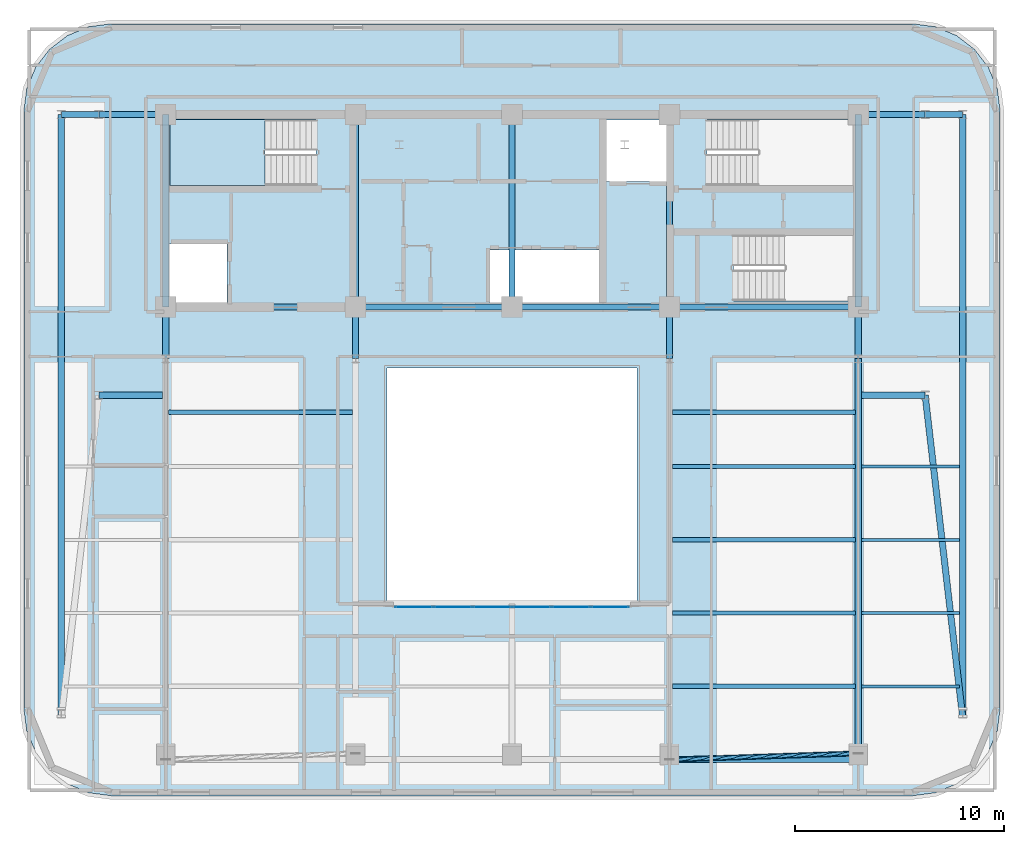
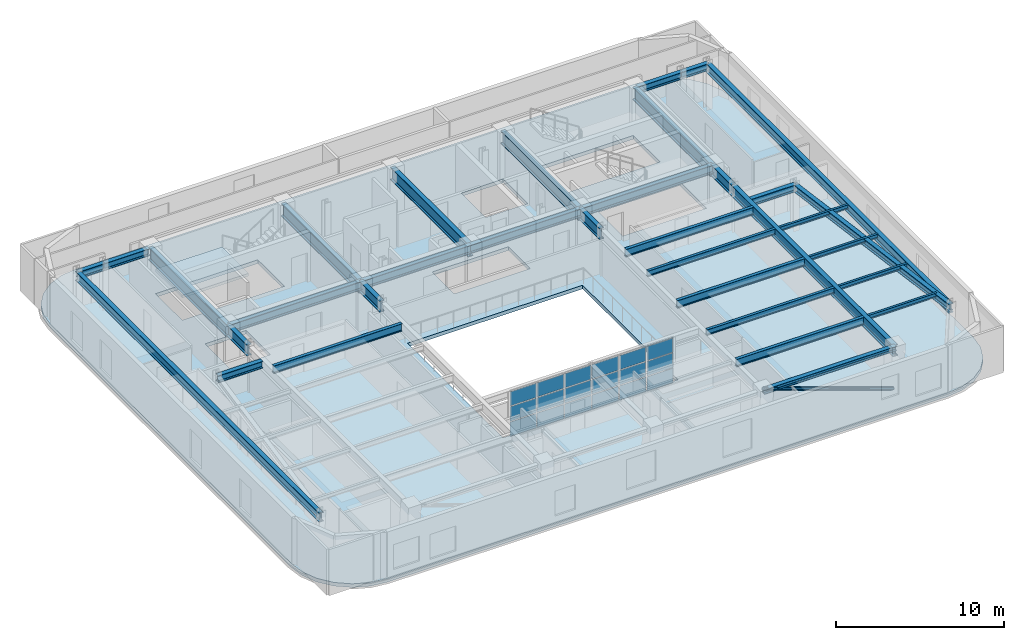
# One storey, part 3 of 14: 34 beams, 18 plates, 2 slabs, 1 member, 2 elements without a shape of their own.
"""IFC4 building model written with IfcOpenShell, lengths in metres."""

from ifc_helpers import new_model, si_unit, direction, frame, origin, origin_2d, place, context, subcontext, project, spatial, polyline, rectangle, hollow_circle, i_section, outline, extrude, material, layer, layer_set, material_profile, profile_set, type_object, element, aggregate, save


model = new_model("IFC4")

# Units and contexts
model_context = context("Model", 3, precision=1e-05, world=origin(), true_north=direction((0.0, 1.0)))
body_context = subcontext(model_context, "Body", "Model", "MODEL_VIEW")
ifc_project = project(units=[si_unit("LENGTHUNIT", "METRE"), si_unit("AREAUNIT", "SQUARE_METRE"), si_unit("VOLUMEUNIT", "CUBIC_METRE"), si_unit("PLANEANGLEUNIT", "RADIAN"), si_unit("MASSUNIT", "GRAM", prefix="KILO")], contexts=[model_context])

# Site, building, storey
site_placement = place(None, origin())
site = spatial("IfcSite", under=ifc_project, at=site_placement, CompositionType="ELEMENT")
building_placement = place(site_placement, origin())
building = spatial("IfcBuilding", under=site, at=building_placement, Name="Zarnavel Station Tower", CompositionType="ELEMENT")
storey_placement = place(building_placement, frame((0.0, 0.0, 218.39990234375)))
storey = spatial("IfcBuildingStorey", under=building, at=storey_placement, Name="L59", CompositionType="ELEMENT", Elevation=218.39990234375)

# Member
ifc_material_1 = material(Name="Steel S355J2", Category="steel")
ifc_material_profile_1 = material_profile(ifc_material_1, hollow_circle(Radius=0.122314453125, WallThickness=0.010009765625, at=origin_2d()), Name="CHS244.5x10")
ifc_profile_set_1 = profile_set([ifc_material_profile_1], Name="Steel S355J2")
member_type = type_object("IfcMemberType", Name="DB_EXT_CHS245", PredefinedType="BRACE", material=ifc_profile_set_1)
member_placement = place(storey_placement, frame((45.39990234375, 6.4365234375, 0.0), z_axis=(-0.937681259663, -0.031367345473, 0.3460779463), x_axis=(0.033433332735, -0.999440949863, 0.0)))
element("IfcMember", 1, at=member_placement, inside=storey, type_object=member_type, Name="L59 Persian Exterior Diagonal Frame Brace 2", PredefinedType="BRACE", context=body_context, shape_type="SweptSolid", body=[
    extrude(hollow_circle(Radius=0.122314453125, WallThickness=0.010009765625, at=origin_2d()), origin(), (0.0, 0.0, 1.0), 9.6513671875),
])

# Beams
ifc_material_2 = material(Name="Steel S355J2", Category="steel")
ifc_material_profile_2 = material_profile(ifc_material_2, i_section(OverallWidth=0.300048828125, OverallDepth=0.320068359375, WebThickness=0.011474609375, FlangeThickness=0.0205078125, FilletRadius=0.027099609375, at=origin_2d()), Name="HEB320")
ifc_profile_set_2 = profile_set([ifc_material_profile_2], Name="Steel S355J2")
beam_type_1 = type_object("IfcBeamType", Name="EB_HEB320", PredefinedType="SPANDREL", material=ifc_profile_set_2)
beam_1_placement = place(storey_placement, frame((36.35009765625, 6.1337890625, 3.18017578125), z_axis=(1.0, 0.0, 0.0), x_axis=(0.0, 1.0, 0.0)))
element("IfcBeam", 2, at=beam_1_placement, inside=storey, type_object=beam_type_1, Name="L59 South Raked Spandrel 4", PredefinedType="SPANDREL", context=body_context, shape_type="SweptSolid", body=[
    extrude(i_section(OverallWidth=0.300048828125, OverallDepth=0.320068359375, WebThickness=0.011474609375, FlangeThickness=0.0205078125, FilletRadius=0.027099609375, at=origin_2d()), origin(), (0.0, 0.0, 1.0), 9.0498046875),
])
ifc_material_3 = material(Name="Steel S355J2", Category="steel")
ifc_material_profile_3 = material_profile(ifc_material_3, i_section(OverallWidth=0.179931640625, OverallDepth=0.39990234375, WebThickness=0.008544921875, FlangeThickness=0.013427734375, FilletRadius=0.02099609375, at=origin_2d()), Name="IPE400")
ifc_profile_set_3 = profile_set([ifc_material_profile_3], Name="Steel S355J2")
beam_type_2 = type_object("IfcBeamType", Name="FB_IPE400", PredefinedType="BEAM", material=ifc_profile_set_3)
for number, where, z_axis, x_axis, name in (
    (3, (36.4951171875, 13.156005859375, 3.14013671875), (1.0, 0.0, 0.0), (0.0, 1.0, 0.0), "L59 East Bay Beam 2"),
    (4, (36.4951171875, 20.177978515625, 3.14013671875), (1.0, 0.0, 0.0), (0.0, 1.0, 0.0), "L59 East Bay Beam 4"),
):
    element("IfcBeam", number, at=place(storey_placement, frame(where, z_axis=z_axis, x_axis=x_axis)), inside=storey, type_object=beam_type_2, Name=name, PredefinedType="BEAM", context=body_context, shape_type="SweptSolid", body=[
        extrude(i_section(OverallWidth=0.179931640625, OverallDepth=0.39990234375, WebThickness=0.008544921875, FlangeThickness=0.013427734375, FilletRadius=0.02099609375, at=origin_2d()), origin(), (0.0, 0.0, 1.0), 8.759765625),
    ])
ifc_material_4 = material(Name="Steel S355J2", Category="steel")
ifc_material_profile_4 = material_profile(ifc_material_4, i_section(OverallWidth=0.2099609375, OverallDepth=0.550048828125, WebThickness=0.010986328125, FlangeThickness=0.01708984375, FilletRadius=0.02392578125, at=origin_2d()), Name="IPE550")
ifc_profile_set_4 = profile_set([ifc_material_profile_4], Name="Steel S355J2")
beam_type_3 = type_object("IfcBeamType", Name="FB_IPE550", PredefinedType="BEAM", material=ifc_profile_set_4)
for number, where, z_axis, x_axis, name in (
    (5, (36.4951171875, 9.64501953125, 3.065185546875), (1.0, 0.0, 0.0), (0.0, 1.0, 0.0), "L59 East Bay Beam 1"),
    (6, (36.4951171875, 16.6669921875, 3.065185546875), (1.0, 0.0, 0.0), (0.0, 1.0, 0.0), "L59 East Bay Beam 3"),
):
    element("IfcBeam", number, at=place(storey_placement, frame(where, z_axis=z_axis, x_axis=x_axis)), inside=storey, type_object=beam_type_3, Name=name, PredefinedType="BEAM", context=body_context, shape_type="SweptSolid", body=[
        extrude(i_section(OverallWidth=0.2099609375, OverallDepth=0.550048828125, WebThickness=0.010986328125, FlangeThickness=0.01708984375, FilletRadius=0.02392578125, at=origin_2d()), origin(), (0.0, 0.0, 1.0), 8.759765625),
    ])
beam_2_placement = place(storey_placement, frame((12.344970703125, 22.7890625, 3.065185546875), z_axis=(1.0, 0.0, 0.0), x_axis=(0.0, 1.0, 0.0)))
element("IfcBeam", 7, at=beam_2_placement, inside=storey, type_object=beam_type_3, Name="L59 West Bay Beam 5", PredefinedType="BEAM", context=body_context, shape_type="SweptSolid", body=[
    extrude(i_section(OverallWidth=0.2099609375, OverallDepth=0.550048828125, WebThickness=0.010986328125, FlangeThickness=0.01708984375, FilletRadius=0.02392578125, at=origin_2d()), origin(), (0.0, 0.0, 1.0), 8.81005859375),
])
beam_3_placement = place(storey_placement, frame((36.4951171875, 22.7890625, 3.065185546875), z_axis=(1.0, 0.0, 0.0), x_axis=(0.0, 1.0, 0.0)))
element("IfcBeam", 8, at=beam_3_placement, inside=storey, type_object=beam_type_3, Name="L59 East Bay Beam 5", PredefinedType="BEAM", context=body_context, shape_type="SweptSolid", body=[
    extrude(i_section(OverallWidth=0.2099609375, OverallDepth=0.550048828125, WebThickness=0.010986328125, FlangeThickness=0.01708984375, FilletRadius=0.02392578125, at=origin_2d()), origin(), (0.0, 0.0, 1.0), 8.759765625),
])
ifc_material_5 = material(Name="Steel S355J2", Category="steel")
ifc_material_profile_5 = material_profile(ifc_material_5, i_section(OverallWidth=0.300048828125, OverallDepth=0.5, WebThickness=0.014404296875, FlangeThickness=0.028076171875, FilletRadius=0.027099609375, at=origin_2d()), Name="HEB500")
ifc_profile_set_5 = profile_set([ifc_material_profile_5], Name="Steel S355J2")
beam_type_4 = type_object("IfcBeamType", Name="FG_HEB500", PredefinedType="USERDEFINED", material=ifc_profile_set_5)
beam_4_placement = place(storey_placement, frame((7.199951171875, 37.050048828125, 3.090087890625), z_axis=(1.0, 0.0, 0.0), x_axis=(0.0, 1.0, 0.0)))
element("IfcBeam", 9, at=beam_4_placement, inside=storey, type_object=beam_type_4, Name="L59 West Wing North Tie 1", ObjectType="GIRDER", PredefinedType="USERDEFINED", context=body_context, shape_type="SweptSolid", body=[
    extrude(i_section(OverallWidth=0.300048828125, OverallDepth=0.5, WebThickness=0.014404296875, FlangeThickness=0.028076171875, FilletRadius=0.027099609375, at=origin_2d()), origin(), (0.0, 0.0, 1.0), 1.800048828125),
])
for number, where, z_axis, x_axis, name in (
    (10, (9.0, 23.60009765625, 3.090087890625), (1.0, 0.0, 0.0), (0.0, 1.0, 0.0), "L59 West Wing South Tie 2"),
    (11, (9.0, 37.050048828125, 3.090087890625), (1.0, 0.0, 0.0), (0.0, 1.0, 0.0), "L59 West Wing North Tie 2"),
):
    element("IfcBeam", number, at=place(storey_placement, frame(where, z_axis=z_axis, x_axis=x_axis)), inside=storey, type_object=beam_type_4, Name=name, ObjectType="GIRDER", PredefinedType="USERDEFINED", context=body_context, shape_type="SweptSolid", body=[
        extrude(i_section(OverallWidth=0.300048828125, OverallDepth=0.5, WebThickness=0.014404296875, FlangeThickness=0.028076171875, FilletRadius=0.027099609375, at=origin_2d()), origin(), (0.0, 0.0, 1.0), 3.054931640625),
    ])
for number, where, z_axis, x_axis, name in (
    (12, (45.544921875, 23.60009765625, 3.090087890625), (1.0, 0.0, 0.0), (0.0, 1.0, 0.0), "L59 East Wing South Tie 1"),
    (13, (45.544921875, 37.050048828125, 3.090087890625), (1.0, 0.0, 0.0), (0.0, 1.0, 0.0), "L59 East Wing North Tie 1"),
):
    element("IfcBeam", number, at=place(storey_placement, frame(where, z_axis=z_axis, x_axis=x_axis)), inside=storey, type_object=beam_type_4, Name=name, ObjectType="GIRDER", PredefinedType="USERDEFINED", context=body_context, shape_type="SweptSolid", body=[
        extrude(i_section(OverallWidth=0.300048828125, OverallDepth=0.5, WebThickness=0.014404296875, FlangeThickness=0.028076171875, FilletRadius=0.027099609375, at=origin_2d()), origin(), (0.0, 0.0, 1.0), 3.05517578125),
    ])
beam_5_placement = place(storey_placement, frame((48.60009765625, 23.60009765625, 3.090087890625), z_axis=(0.115724537018, -0.993281345608, 0.0), x_axis=(0.993281345608, 0.115724537018, 0.0)))
element("IfcBeam", 14, at=beam_5_placement, inside=storey, type_object=beam_type_4, Name="L59 East Wing South Tie 2", ObjectType="GIRDER", PredefinedType="USERDEFINED", context=body_context, shape_type="SweptSolid", body=[
    extrude(i_section(OverallWidth=0.300048828125, OverallDepth=0.5, WebThickness=0.014404296875, FlangeThickness=0.028076171875, FilletRadius=0.027099609375, at=origin_2d()), origin(), (0.0, 0.0, 1.0), 15.552490234375),
])
beam_6_placement = place(storey_placement, frame((48.60009765625, 37.050048828125, 3.090087890625), z_axis=(1.0, 0.0, 0.0), x_axis=(0.0, 1.0, 0.0)))
element("IfcBeam", 15, at=beam_6_placement, inside=storey, type_object=beam_type_4, Name="L59 East Wing North Tie 2", ObjectType="GIRDER", PredefinedType="USERDEFINED", context=body_context, shape_type="SweptSolid", body=[
    extrude(i_section(OverallWidth=0.300048828125, OverallDepth=0.5, WebThickness=0.014404296875, FlangeThickness=0.028076171875, FilletRadius=0.027099609375, at=origin_2d()), origin(), (0.0, 0.0, 1.0), 1.7998046875),
])
ifc_material_6 = material(Name="Steel S355J2", Category="steel")
ifc_material_profile_6 = material_profile(ifc_material_6, i_section(OverallWidth=0.300048828125, OverallDepth=0.60009765625, WebThickness=0.015380859375, FlangeThickness=0.030029296875, FilletRadius=0.027099609375, at=origin_2d()), Name="HEB600")
ifc_profile_set_6 = profile_set([ifc_material_profile_6], Name="Steel S355J2")
beam_type_5 = type_object("IfcBeamType", Name="FG_HEB600", PredefinedType="USERDEFINED", material=ifc_profile_set_6)
beam_7_placement = place(storey_placement, frame((12.199951171875, 27.820068359375, 3.0400390625), z_axis=(1.0, 0.0, 0.0), x_axis=(0.0, 1.0, 0.0)))
element("IfcBeam", 16, at=beam_7_placement, inside=storey, type_object=beam_type_5, Name="L59 Core Front Coupling Beam 1", ObjectType="GIRDER", PredefinedType="USERDEFINED", context=body_context, shape_type="SweptSolid", body=[
    extrude(i_section(OverallWidth=0.300048828125, OverallDepth=0.60009765625, WebThickness=0.015380859375, FlangeThickness=0.030029296875, FilletRadius=0.027099609375, at=origin_2d()), origin(), (0.0, 0.0, 1.0), 9.10009765625),
])
beam_8_placement = place(storey_placement, frame((21.300048828125, 27.820068359375, 3.0400390625), z_axis=(1.0, 0.0, 0.0), x_axis=(0.0, 1.0, 0.0)))
element("IfcBeam", 17, at=beam_8_placement, inside=storey, type_object=beam_type_5, Name="L59 Core Front Coupling Beam 2", ObjectType="GIRDER", PredefinedType="USERDEFINED", context=body_context, shape_type="SweptSolid", body=[
    extrude(i_section(OverallWidth=0.300048828125, OverallDepth=0.60009765625, WebThickness=0.015380859375, FlangeThickness=0.030029296875, FilletRadius=0.027099609375, at=origin_2d()), origin(), (0.0, 0.0, 1.0), 7.5),
])
beam_9_placement = place(storey_placement, frame((28.800048828125, 27.820068359375, 3.0400390625), z_axis=(1.0, 0.0, 0.0), x_axis=(0.0, 1.0, 0.0)))
element("IfcBeam", 18, at=beam_9_placement, inside=storey, type_object=beam_type_5, Name="L59 Core Front Coupling Beam 3", ObjectType="GIRDER", PredefinedType="USERDEFINED", context=body_context, shape_type="SweptSolid", body=[
    extrude(i_section(OverallWidth=0.300048828125, OverallDepth=0.60009765625, WebThickness=0.015380859375, FlangeThickness=0.030029296875, FilletRadius=0.027099609375, at=origin_2d()), origin(), (0.0, 0.0, 1.0), 7.550048828125),
])
beam_10_placement = place(storey_placement, frame((36.35009765625, 27.820068359375, 3.0400390625), z_axis=(1.0, 0.0, 0.0), x_axis=(0.0, 1.0, 0.0)))
element("IfcBeam", 19, at=beam_10_placement, inside=storey, type_object=beam_type_5, Name="L59 Core Front Coupling Beam 4", ObjectType="GIRDER", PredefinedType="USERDEFINED", context=body_context, shape_type="SweptSolid", body=[
    extrude(i_section(OverallWidth=0.300048828125, OverallDepth=0.60009765625, WebThickness=0.015380859375, FlangeThickness=0.030029296875, FilletRadius=0.027099609375, at=origin_2d()), origin(), (0.0, 0.0, 1.0), 9.0498046875),
])
ifc_material_7 = material(Name="Steel S355J2", Category="steel")
ifc_material_profile_7 = material_profile(ifc_material_7, i_section(OverallWidth=0.300048828125, OverallDepth=0.64990234375, WebThickness=0.01611328125, FlangeThickness=0.031005859375, FilletRadius=0.027099609375, at=origin_2d()), Name="HEB650")
ifc_profile_set_7 = profile_set([ifc_material_profile_7], Name="Steel S355J2")
beam_type_6 = type_object("IfcBeamType", Name="FG_HEB650", PredefinedType="USERDEFINED", material=ifc_profile_set_7)
for number, where, z_axis, x_axis, name in (
    (20, (7.199951171875, 8.152099609375, 3.01513671875), (0.0, 1.0, 0.0), (-1.0, 0.0, 0.0), "L59 Wing NS Girder 1"),
    (21, (50.39990234375, 8.152099609375, 3.01513671875), (0.0, 1.0, 0.0), (-1.0, 0.0, 0.0), "L59 Wing NS Girder 2"),
):
    element("IfcBeam", number, at=place(storey_placement, frame(where, z_axis=z_axis, x_axis=x_axis)), inside=storey, type_object=beam_type_6, Name=name, ObjectType="GIRDER", PredefinedType="USERDEFINED", context=body_context, shape_type="SweptSolid", body=[
        extrude(i_section(OverallWidth=0.300048828125, OverallDepth=0.64990234375, WebThickness=0.01611328125, FlangeThickness=0.031005859375, FilletRadius=0.027099609375, at=origin_2d()), origin(), (0.0, 0.0, 1.0), 28.89794921875),
    ])
ifc_material_8 = material(Name="Steel S355J2", Category="steel")
ifc_material_profile_8 = material_profile(ifc_material_8, i_section(OverallWidth=0.300048828125, OverallDepth=0.800048828125, WebThickness=0.017578125, FlangeThickness=0.032958984375, FilletRadius=0.030029296875, at=origin_2d()), Name="HEB800")
ifc_profile_set_8 = profile_set([ifc_material_profile_8], Name="Steel S355J2")
beam_type_7 = type_object("IfcBeamType", Name="FG_HEB800", PredefinedType="USERDEFINED", material=ifc_profile_set_8)
for number, where, z_axis, x_axis, name in (
    (22, (12.199951171875, 25.35009765625, 2.940185546875), (0.0, 1.0, 0.0), (-1.0, 0.0, 0.0), "L59 Inner-Zone NS Girder 1"),
    (23, (21.300048828125, 25.35009765625, 2.940185546875), (0.0, 1.0, 0.0), (-1.0, 0.0, 0.0), "L59 Inner-Zone NS Girder 2"),
    (24, (36.35009765625, 25.35009765625, 2.940185546875), (0.0, 1.0, 0.0), (-1.0, 0.0, 0.0), "L59 Inner-Zone NS Girder 4"),
):
    element("IfcBeam", number, at=place(storey_placement, frame(where, z_axis=z_axis, x_axis=x_axis)), inside=storey, type_object=beam_type_7, Name=name, ObjectType="GIRDER", PredefinedType="USERDEFINED", context=body_context, shape_type="SweptSolid", body=[
        extrude(i_section(OverallWidth=0.300048828125, OverallDepth=0.800048828125, WebThickness=0.017578125, FlangeThickness=0.032958984375, FilletRadius=0.030029296875, at=origin_2d()), origin(), (0.0, 0.0, 1.0), 2.469970703125),
    ])
beam_11_placement = place(storey_placement, frame((45.39990234375, 6.1337890625, 2.940185546875), z_axis=(0.0, 1.0, 0.0), x_axis=(-1.0, 0.0, 0.0)))
element("IfcBeam", 25, at=beam_11_placement, inside=storey, type_object=beam_type_7, Name="L59 South-Zone NS Girder 5", ObjectType="GIRDER", PredefinedType="USERDEFINED", context=body_context, shape_type="SweptSolid", body=[
    extrude(i_section(OverallWidth=0.300048828125, OverallDepth=0.800048828125, WebThickness=0.017578125, FlangeThickness=0.032958984375, FilletRadius=0.030029296875, at=origin_2d()), origin(), (0.0, 0.0, 1.0), 19.21630859375),
])
beam_12_placement = place(storey_placement, frame((45.39990234375, 25.35009765625, 2.940185546875), z_axis=(0.0, 1.0, 0.0), x_axis=(-1.0, 0.0, 0.0)))
element("IfcBeam", 26, at=beam_12_placement, inside=storey, type_object=beam_type_7, Name="L59 Inner-Zone NS Girder 5", ObjectType="GIRDER", PredefinedType="USERDEFINED", context=body_context, shape_type="SweptSolid", body=[
    extrude(i_section(OverallWidth=0.300048828125, OverallDepth=0.800048828125, WebThickness=0.017578125, FlangeThickness=0.032958984375, FilletRadius=0.030029296875, at=origin_2d()), origin(), (0.0, 0.0, 1.0), 2.469970703125),
])
ifc_material_9 = material(Name="Steel S355J2", Category="steel")
ifc_material_profile_9 = material_profile(ifc_material_9, i_section(OverallWidth=0.14990234375, OverallDepth=0.300048828125, WebThickness=0.007080078125, FlangeThickness=0.0107421875, FilletRadius=0.014892578125, at=origin_2d()), Name="IPE300")
ifc_profile_set_9 = profile_set([ifc_material_profile_9], Name="Steel S355J2")
beam_type_8 = type_object("IfcBeamType", Name="FJ_IPE300", PredefinedType="JOIST", material=ifc_profile_set_9)
for number, where, z_axis, x_axis, name in (
    (27, (45.544921875, 9.64501953125, 3.190185546875), (1.0, 0.0, 0.0), (0.0, 1.0, 0.0), "L59 East Wing Joist 1"),
    (28, (45.544921875, 13.156005859375, 3.190185546875), (1.0, 0.0, 0.0), (0.0, 1.0, 0.0), "L59 East Wing Joist 2"),
    (29, (45.544921875, 16.6669921875, 3.190185546875), (1.0, 0.0, 0.0), (0.0, 1.0, 0.0), "L59 East Wing Joist 3"),
    (30, (45.544921875, 20.177978515625, 3.190185546875), (1.0, 0.0, 0.0), (0.0, 1.0, 0.0), "L59 East Wing Joist 4"),
):
    element("IfcBeam", number, at=place(storey_placement, frame(where, z_axis=z_axis, x_axis=x_axis)), inside=storey, type_object=beam_type_8, Name=name, PredefinedType="JOIST", context=body_context, shape_type="SweptSolid", body=[
        extrude(i_section(OverallWidth=0.14990234375, OverallDepth=0.300048828125, WebThickness=0.007080078125, FlangeThickness=0.0107421875, FilletRadius=0.014892578125, at=origin_2d()), origin(), (0.0, 0.0, 1.0), 4.7099609375),
    ])
ifc_material_10 = material(Name="Steel S460M", Category="steel")
ifc_material_profile_10 = material_profile(ifc_material_10, i_section(OverallWidth=0.302001953125, OverallDepth=0.909912109375, WebThickness=0.02099609375, FlangeThickness=0.0400390625, FilletRadius=0.030029296875, at=origin_2d()), Name="HEM900")
ifc_profile_set_10 = profile_set([ifc_material_profile_10], Name="Steel S460M")
beam_type_9 = type_object("IfcBeamType", Name="TG_HEM900", PredefinedType="USERDEFINED", material=ifc_profile_set_10)
for number, where, z_axis, x_axis, name in (
    (31, (12.199951171875, 27.820068359375, 2.885009765625), (0.0, 1.0, 0.0), (-1.0, 0.0, 0.0), "L59 Core Spine Coupling Girder 1"),
    (32, (21.300048828125, 27.820068359375, 2.885009765625), (0.0, 1.0, 0.0), (-1.0, 0.0, 0.0), "L59 Core Spine Coupling Girder 2"),
    (33, (28.800048828125, 27.820068359375, 2.885009765625), (0.0, 1.0, 0.0), (-1.0, 0.0, 0.0), "L59 Core Spine Coupling Girder 3"),
    (34, (36.35009765625, 27.820068359375, 2.885009765625), (0.0, 1.0, 0.0), (-1.0, 0.0, 0.0), "L59 Core Spine Coupling Girder 4"),
    (35, (45.39990234375, 27.820068359375, 2.885009765625), (0.0, 1.0, 0.0), (-1.0, 0.0, 0.0), "L59 Core Spine Coupling Girder 5"),
):
    element("IfcBeam", number, at=place(storey_placement, frame(where, z_axis=z_axis, x_axis=x_axis)), inside=storey, type_object=beam_type_9, Name=name, ObjectType="GIRDER", PredefinedType="USERDEFINED", context=body_context, shape_type="SweptSolid", body=[
        extrude(i_section(OverallWidth=0.302001953125, OverallDepth=0.909912109375, WebThickness=0.02099609375, FlangeThickness=0.0400390625, FilletRadius=0.030029296875, at=origin_2d()), origin(), (0.0, 0.0, 1.0), 9.22998046875),
    ])

# Curtain wall, plates
ifc_material_11 = material(Name="Aluminium Dark Anodised and Solar-Control Glass", Category="aluminium")
ifc_layer_1 = layer(ifc_material_11, 0.179931640625)
ifc_layer_set_1 = layer_set([ifc_layer_1], Name="CWS5")
curtain_wall_type = type_object("IfcCurtainWallType", Name="CWS5", PredefinedType="NOTDEFINED", material=ifc_layer_set_1)
curtain_wall_placement = place(storey_placement, origin())
curtain_wall = element("IfcCurtainWall", 36, at=curtain_wall_placement, inside=storey, type_object=curtain_wall_type, Name="L59 Curtain Wall CWS5-L59-AS", PredefinedType="NOTDEFINED")
ifc_material_12 = material(Name="Double Low-E Dark Solar-Control Glass", Category="glass")
ifc_layer_2 = layer(ifc_material_12, 0.033935546875)
ifc_layer_set_2 = layer_set([ifc_layer_2], Name="CWS5_PNL")
plate_type = type_object("IfcPlateType", Name="CWS5_PNL", PredefinedType="CURTAIN_PANEL", material=ifc_layer_set_2)
plate_1_placement = place(storey_placement, frame((24.106689453125, 13.449951171875, 0.06005859375), z_axis=(0.0, 0.0, 1.0), x_axis=(1.0, 0.0, 0.0)))
plate_1 = element("IfcPlate", 37, at=plate_1_placement, type_object=plate_type, Name="CW5 panel 1.1", PredefinedType="CURTAIN_PANEL", context=body_context, shape_type="SweptSolid", body=[
    extrude(rectangle(XDim=1.793212890625, YDim=0.028076171875, at=origin_2d()), origin(), (0.0, 0.0, 1.0), 1.023193359375),
])
plate_2_placement = place(storey_placement, frame((24.106689453125, 13.449951171875, 1.1435546875), z_axis=(0.0, 0.0, 1.0), x_axis=(1.0, 0.0, 0.0)))
plate_2 = element("IfcPlate", 38, at=plate_2_placement, type_object=plate_type, Name="CW5 panel 1.2", PredefinedType="CURTAIN_PANEL", context=body_context, shape_type="SweptSolid", body=[
    extrude(rectangle(XDim=1.793212890625, YDim=0.028076171875, at=origin_2d()), origin(), (0.0, 0.0, 1.0), 1.053466796875),
])
plate_3_placement = place(storey_placement, frame((24.106689453125, 13.449951171875, 2.2568359375), z_axis=(0.0, 0.0, 1.0), x_axis=(1.0, 0.0, 0.0)))
plate_3 = element("IfcPlate", 39, at=plate_3_placement, type_object=plate_type, Name="CW5 panel 1.3", PredefinedType="CURTAIN_PANEL", context=body_context, shape_type="SweptSolid", body=[
    extrude(rectangle(XDim=1.793212890625, YDim=0.028076171875, at=origin_2d()), origin(), (0.0, 0.0, 1.0), 1.023193359375),
])
plate_4_placement = place(storey_placement, frame((25.97509765625, 13.449951171875, 0.06005859375), z_axis=(0.0, 0.0, 1.0), x_axis=(1.0, 0.0, 0.0)))
plate_4 = element("IfcPlate", 40, at=plate_4_placement, type_object=plate_type, Name="CW5 panel 2.1", PredefinedType="CURTAIN_PANEL", context=body_context, shape_type="SweptSolid", body=[
    extrude(rectangle(XDim=1.8232421875, YDim=0.028076171875, at=origin_2d()), origin(), (0.0, 0.0, 1.0), 1.023193359375),
])
plate_5_placement = place(storey_placement, frame((25.97509765625, 13.449951171875, 1.1435546875), z_axis=(0.0, 0.0, 1.0), x_axis=(1.0, 0.0, 0.0)))
plate_5 = element("IfcPlate", 41, at=plate_5_placement, type_object=plate_type, Name="CW5 panel 2.2", PredefinedType="CURTAIN_PANEL", context=body_context, shape_type="SweptSolid", body=[
    extrude(rectangle(XDim=1.8232421875, YDim=0.028076171875, at=origin_2d()), origin(), (0.0, 0.0, 1.0), 1.053466796875),
])
plate_6_placement = place(storey_placement, frame((25.97509765625, 13.449951171875, 2.2568359375), z_axis=(0.0, 0.0, 1.0), x_axis=(1.0, 0.0, 0.0)))
plate_6 = element("IfcPlate", 42, at=plate_6_placement, type_object=plate_type, Name="CW5 panel 2.3", PredefinedType="CURTAIN_PANEL", context=body_context, shape_type="SweptSolid", body=[
    extrude(rectangle(XDim=1.8232421875, YDim=0.028076171875, at=origin_2d()), origin(), (0.0, 0.0, 1.0), 1.023193359375),
])
plate_7_placement = place(storey_placement, frame((27.8583984375, 13.449951171875, 0.06005859375), z_axis=(0.0, 0.0, 1.0), x_axis=(1.0, 0.0, 0.0)))
plate_7 = element("IfcPlate", 43, at=plate_7_placement, type_object=plate_type, Name="CW5 panel 3.1", PredefinedType="CURTAIN_PANEL", context=body_context, shape_type="SweptSolid", body=[
    extrude(rectangle(XDim=1.8232421875, YDim=0.028076171875, at=origin_2d()), origin(), (0.0, 0.0, 1.0), 1.023193359375),
])
plate_8_placement = place(storey_placement, frame((27.8583984375, 13.449951171875, 1.1435546875), z_axis=(0.0, 0.0, 1.0), x_axis=(1.0, 0.0, 0.0)))
plate_8 = element("IfcPlate", 44, at=plate_8_placement, type_object=plate_type, Name="CW5 panel 3.2", PredefinedType="CURTAIN_PANEL", context=body_context, shape_type="SweptSolid", body=[
    extrude(rectangle(XDim=1.8232421875, YDim=0.028076171875, at=origin_2d()), origin(), (0.0, 0.0, 1.0), 1.053466796875),
])
plate_9_placement = place(storey_placement, frame((27.8583984375, 13.449951171875, 2.2568359375), z_axis=(0.0, 0.0, 1.0), x_axis=(1.0, 0.0, 0.0)))
plate_9 = element("IfcPlate", 45, at=plate_9_placement, type_object=plate_type, Name="CW5 panel 3.3", PredefinedType="CURTAIN_PANEL", context=body_context, shape_type="SweptSolid", body=[
    extrude(rectangle(XDim=1.8232421875, YDim=0.028076171875, at=origin_2d()), origin(), (0.0, 0.0, 1.0), 1.023193359375),
])
plate_10_placement = place(storey_placement, frame((29.74169921875, 13.449951171875, 0.06005859375), z_axis=(0.0, 0.0, 1.0), x_axis=(1.0, 0.0, 0.0)))
plate_10 = element("IfcPlate", 46, at=plate_10_placement, type_object=plate_type, Name="CW5 panel 4.1", PredefinedType="CURTAIN_PANEL", context=body_context, shape_type="SweptSolid", body=[
    extrude(rectangle(XDim=1.8232421875, YDim=0.028076171875, at=origin_2d()), origin(), (0.0, 0.0, 1.0), 1.023193359375),
])
plate_11_placement = place(storey_placement, frame((29.74169921875, 13.449951171875, 1.1435546875), z_axis=(0.0, 0.0, 1.0), x_axis=(1.0, 0.0, 0.0)))
plate_11 = element("IfcPlate", 47, at=plate_11_placement, type_object=plate_type, Name="CW5 panel 4.2", PredefinedType="CURTAIN_PANEL", context=body_context, shape_type="SweptSolid", body=[
    extrude(rectangle(XDim=1.8232421875, YDim=0.028076171875, at=origin_2d()), origin(), (0.0, 0.0, 1.0), 1.053466796875),
])
plate_12_placement = place(storey_placement, frame((29.74169921875, 13.449951171875, 2.2568359375), z_axis=(0.0, 0.0, 1.0), x_axis=(1.0, 0.0, 0.0)))
plate_12 = element("IfcPlate", 48, at=plate_12_placement, type_object=plate_type, Name="CW5 panel 4.3", PredefinedType="CURTAIN_PANEL", context=body_context, shape_type="SweptSolid", body=[
    extrude(rectangle(XDim=1.8232421875, YDim=0.028076171875, at=origin_2d()), origin(), (0.0, 0.0, 1.0), 1.023193359375),
])
plate_13_placement = place(storey_placement, frame((31.625, 13.449951171875, 0.06005859375), z_axis=(0.0, 0.0, 1.0), x_axis=(1.0, 0.0, 0.0)))
plate_13 = element("IfcPlate", 49, at=plate_13_placement, type_object=plate_type, Name="CW5 panel 5.1", PredefinedType="CURTAIN_PANEL", context=body_context, shape_type="SweptSolid", body=[
    extrude(rectangle(XDim=1.8232421875, YDim=0.028076171875, at=origin_2d()), origin(), (0.0, 0.0, 1.0), 1.023193359375),
])
plate_14_placement = place(storey_placement, frame((31.625, 13.449951171875, 1.1435546875), z_axis=(0.0, 0.0, 1.0), x_axis=(1.0, 0.0, 0.0)))
plate_14 = element("IfcPlate", 50, at=plate_14_placement, type_object=plate_type, Name="CW5 panel 5.2", PredefinedType="CURTAIN_PANEL", context=body_context, shape_type="SweptSolid", body=[
    extrude(rectangle(XDim=1.8232421875, YDim=0.028076171875, at=origin_2d()), origin(), (0.0, 0.0, 1.0), 1.053466796875),
])
plate_15_placement = place(storey_placement, frame((31.625, 13.449951171875, 2.2568359375), z_axis=(0.0, 0.0, 1.0), x_axis=(1.0, 0.0, 0.0)))
plate_15 = element("IfcPlate", 51, at=plate_15_placement, type_object=plate_type, Name="CW5 panel 5.3", PredefinedType="CURTAIN_PANEL", context=body_context, shape_type="SweptSolid", body=[
    extrude(rectangle(XDim=1.8232421875, YDim=0.028076171875, at=origin_2d()), origin(), (0.0, 0.0, 1.0), 1.023193359375),
])
plate_16_placement = place(storey_placement, frame((33.493408203125, 13.449951171875, 0.06005859375), z_axis=(0.0, 0.0, 1.0), x_axis=(1.0, 0.0, 0.0)))
plate_16 = element("IfcPlate", 52, at=plate_16_placement, type_object=plate_type, Name="CW5 panel 6.1", PredefinedType="CURTAIN_PANEL", context=body_context, shape_type="SweptSolid", body=[
    extrude(rectangle(XDim=1.793212890625, YDim=0.028076171875, at=origin_2d()), origin(), (0.0, 0.0, 1.0), 1.023193359375),
])
plate_17_placement = place(storey_placement, frame((33.493408203125, 13.449951171875, 1.1435546875), z_axis=(0.0, 0.0, 1.0), x_axis=(1.0, 0.0, 0.0)))
plate_17 = element("IfcPlate", 53, at=plate_17_placement, type_object=plate_type, Name="CW5 panel 6.2", PredefinedType="CURTAIN_PANEL", context=body_context, shape_type="SweptSolid", body=[
    extrude(rectangle(XDim=1.793212890625, YDim=0.028076171875, at=origin_2d()), origin(), (0.0, 0.0, 1.0), 1.053466796875),
])
plate_18_placement = place(storey_placement, frame((33.493408203125, 13.449951171875, 2.2568359375), z_axis=(0.0, 0.0, 1.0), x_axis=(1.0, 0.0, 0.0)))
plate_18 = element("IfcPlate", 54, at=plate_18_placement, type_object=plate_type, Name="CW5 panel 6.3", PredefinedType="CURTAIN_PANEL", context=body_context, shape_type="SweptSolid", body=[
    extrude(rectangle(XDim=1.793212890625, YDim=0.028076171875, at=origin_2d()), origin(), (0.0, 0.0, 1.0), 1.023193359375),
])
aggregate(curtain_wall, [plate_1, plate_2, plate_3, plate_4, plate_5, plate_6, plate_7, plate_8, plate_9, plate_10, plate_11, plate_12, plate_13, plate_14, plate_15, plate_16, plate_17, plate_18])

# Slab
ifc_material_13 = material(Name="Concrete C45/55", Category="concrete")
ifc_layer_3 = layer(ifc_material_13, 0.260009765625)
ifc_layer_set_3 = layer_set([ifc_layer_3], Name="SL_FLR_260")
slab_type_1 = type_object("IfcSlabType", Name="SL_FLR_260", PredefinedType="FLOOR", material=ifc_layer_set_3)
slab_1_placement = place(storey_placement, frame((0.0, 0.0, -0.260009765625)))
element("IfcSlab", 55, at=slab_1_placement, inside=storey, type_object=slab_type_1, Name="L59 Structural Floor Slab", PredefinedType="FLOOR", context=body_context, shape_type="SweptSolid", body=[
    extrude(outline(polyline([(48.0, 4.39990234375), (49.0869140625, 4.543212890625), (50.10009765625, 4.962646484375), (50.9697265625, 5.630126953125), (51.63720703125, 6.5), (52.056884765625, 7.512939453125), (52.199951171875, 8.60009765625), (52.199951171875, 37.199951171875), (52.056884765625, 38.287109375), (51.63720703125, 39.300048828125), (50.9697265625, 40.169921875), (50.10009765625, 40.83740234375), (49.0869140625, 41.2568359375), (48.0, 41.39990234375), (9.60009765625, 41.39990234375), (8.512939453125, 41.2568359375), (7.5, 40.83740234375), (6.630126953125, 40.169921875), (5.962646484375, 39.300048828125), (5.543212890625, 38.287109375), (5.39990234375, 37.199951171875), (5.39990234375, 8.60009765625), (5.543212890625, 7.512939453125), (5.962646484375, 6.5), (6.630126953125, 5.630126953125), (7.5, 4.962646484375), (8.512939453125, 4.543212890625), (9.60009765625, 4.39990234375), (48.0, 4.39990234375)]), holes=[polyline([(12.39990234375, 33.659912109375), (19.409912109375, 33.659912109375), (19.409912109375, 36.820068359375), (12.39990234375, 36.820068359375), (12.39990234375, 33.659912109375)]), polyline([(38.14990234375, 33.659912109375), (45.159912109375, 33.659912109375), (45.159912109375, 36.820068359375), (38.14990234375, 36.820068359375), (38.14990234375, 33.659912109375)]), polyline([(39.419921875, 28.1201171875), (45.14990234375, 28.1201171875), (45.14990234375, 31.280029296875), (39.419921875, 31.280029296875), (39.419921875, 28.1201171875)]), polyline([(12.35009765625, 27.949951171875), (15.14990234375, 27.949951171875), (15.14990234375, 30.85009765625), (12.35009765625, 30.85009765625), (12.35009765625, 27.949951171875)]), polyline([(33.320068359375, 33.85009765625), (36.2099609375, 33.85009765625), (36.2099609375, 36.780029296875), (33.320068359375, 36.780029296875), (33.320068359375, 33.85009765625)]), polyline([(27.75, 27.949951171875), (32.97998046875, 27.949951171875), (32.97998046875, 30.550048828125), (27.75, 30.550048828125), (27.75, 27.949951171875)]), polyline([(22.800048828125, 13.60009765625), (34.800048828125, 13.60009765625), (34.800048828125, 24.89990234375), (22.800048828125, 24.89990234375), (22.800048828125, 13.60009765625)])]), origin(), (0.0, 0.0, 1.0), 0.260009765625),
])

# Stair, slab
ifc_material_14 = material(Name="Concrete C45/55", Category="concrete")
stair_type = type_object("IfcStairType", Name="ST_CORE_150", PredefinedType="HALF_TURN_STAIR", material=ifc_material_14)
stair_placement = place(storey_placement, origin())
stair = element("IfcStair", 56, at=stair_placement, inside=storey, type_object=stair_type, Name="L59 Core Exit Stair ST1", PredefinedType="HALF_TURN_STAIR")
ifc_material_15 = material(Name="Concrete C45/55", Category="concrete")
ifc_layer_4 = layer(ifc_material_15, 0.199951171875)
ifc_layer_set_4 = layer_set([ifc_layer_4], Name="SL_STAIR_LAND_200")
slab_type_2 = type_object("IfcSlabType", Name="SL_STAIR_LAND_200", PredefinedType="LANDING", material=ifc_layer_set_4)
slab_2_placement = place(storey_placement, frame((0.0, 0.0, 1.60009765625)))
slab_2 = element("IfcSlab", 57, at=slab_2_placement, type_object=slab_type_2, Name="ST1 landing 1", PredefinedType="LANDING", context=body_context, shape_type="SweptSolid", body=[
    extrude(outline(polyline([(16.9599609375, 36.820068359375), (12.39990234375, 36.820068359375), (12.39990234375, 33.659912109375), (16.9599609375, 33.659912109375), (16.9599609375, 36.820068359375)])), origin(), (0.0, 0.0, 1.0), 0.199951171875),
])
aggregate(stair, [slab_2])

save(model, "model.ifc")
